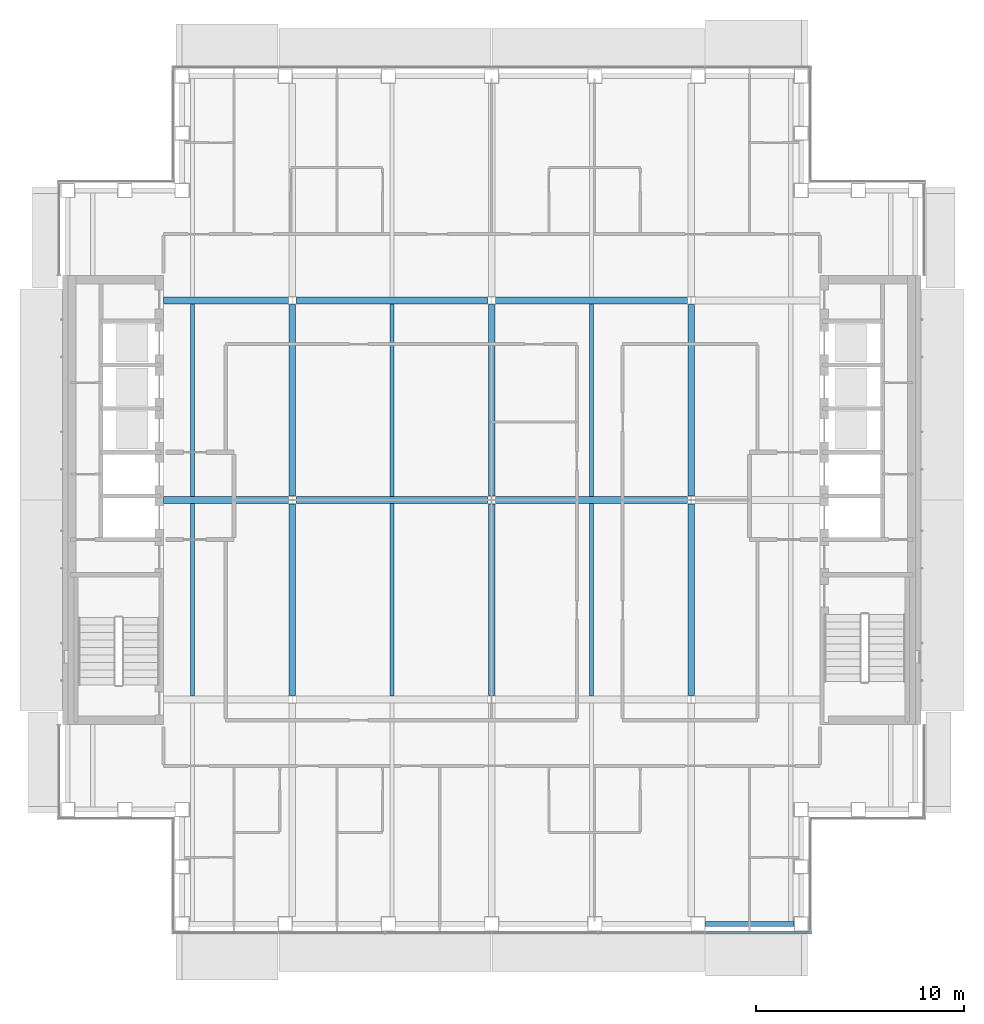
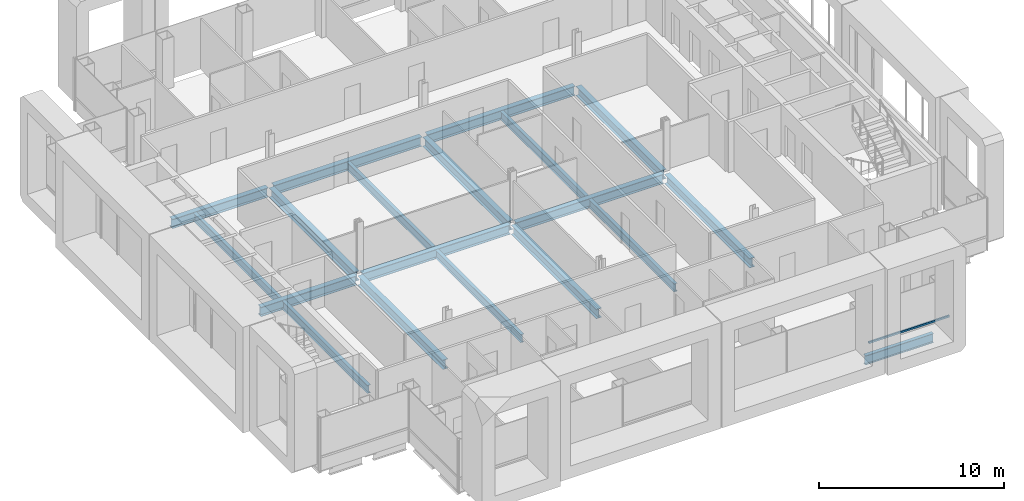
# One storey, part 4 of 19: 19 beams, 1 member, 1 element without a shape of its own.
"""IFC4 building model written with IfcOpenShell, lengths in metres."""

from ifc_helpers import new_model, si_unit, direction, frame, origin, origin_2d, place, context, subcontext, project, spatial, rectangle, i_section, extrude, material, material_profile, profile_set, type_object, element, aggregate, save


model = new_model("IFC4")

# Units and contexts
model_context = context("Model", 3, precision=1e-05, world=origin(), true_north=direction((0.0, 1.0)))
body_context = subcontext(model_context, "Body", "Model", "MODEL_VIEW")
ifc_project = project(units=[si_unit("LENGTHUNIT", "METRE"), si_unit("AREAUNIT", "SQUARE_METRE"), si_unit("VOLUMEUNIT", "CUBIC_METRE"), si_unit("PLANEANGLEUNIT", "RADIAN"), si_unit("MASSUNIT", "GRAM", prefix="KILO")], contexts=[model_context])

# Site, building, storey
site_placement = place(None, origin())
site = spatial("IfcSite", under=ifc_project, at=site_placement, CompositionType="ELEMENT")
building_placement = place(site_placement, origin())
building = spatial("IfcBuilding", under=site, at=building_placement, Name="Cobrizo Arcos Hotel Tower", CompositionType="ELEMENT")
storey_placement = place(building_placement, frame((0.0, 0.0, 198.0)))
storey = spatial("IfcBuildingStorey", under=building, at=storey_placement, Name="L51", CompositionType="ELEMENT", Elevation=198.0)

# Curtain wall, member
ifc_material_1 = material(Name="Aluminium 6063-T6 anodised bronze", Category="aluminium")
curtain_wall_type = type_object("IfcCurtainWallType", Name="CW-A guest facade", PredefinedType="NOTDEFINED", material=ifc_material_1)
curtain_wall_placement = place(storey_placement, origin())
curtain_wall = element("IfcCurtainWall", 1, at=curtain_wall_placement, inside=storey, type_object=curtain_wall_type, Name="CW-A L51 S face", PredefinedType="NOTDEFINED")
ifc_material_profile_1 = material_profile(ifc_material_1, rectangle(XDim=0.10009765625, YDim=0.1201171875, at=origin_2d()), Name="CW-A transom 120x100")
ifc_profile_set_1 = profile_set([ifc_material_profile_1], Name="Aluminium 6063-T6 anodised bronze")
member_type = type_object("IfcMemberType", Name="CW-A transom 120x100", PredefinedType="USERDEFINED", material=ifc_profile_set_1)
member_placement = place(storey_placement, frame((10.296630859375, -20.824951171875, 0.929931640625), z_axis=(1.0, 0.0, 0.0), x_axis=(0.0, 1.0, 0.0)))
member = element("IfcMember", 2, at=member_placement, type_object=member_type, Name="CW-A transom 1749", ObjectType="TRANSOM", PredefinedType="USERDEFINED", context=body_context, shape_type="SweptSolid", body=[
    extrude(rectangle(XDim=0.10009765625, YDim=0.1201171875, at=origin_2d()), origin(), (0.0, 0.0, 1.0), 5.04345703125),
])
aggregate(curtain_wall, [member])

# Beams
ifc_material_2 = material(Name="Steel ASTM A992 Grade 50", Category="steel")
ifc_material_profile_2 = material_profile(ifc_material_2, i_section(OverallWidth=0.209228515625, OverallDepth=0.533447265625, WebThickness=0.01025390625, FlangeThickness=0.015625, at=origin_2d()), Name="W21X62")
ifc_profile_set_2 = profile_set([ifc_material_profile_2], Name="Steel ASTM A992 Grade 50")
beam_type_1 = type_object("IfcBeamType", Name="W21X62 joist", PredefinedType="JOIST", material=ifc_profile_set_2)
for number, where, z_axis, x_axis, name in (
    (3, (-14.39990234375, -9.43603515625, -0.416748046875), (0.0, 1.0, 0.0), (-1.0, 0.0, 0.0), "Floor joist J1, L51, no. 004"),
    (4, (-14.39990234375, 0.163818359375, -0.416748046875), (0.0, 1.0, 0.0), (-1.0, 0.0, 0.0), "Floor joist J1, L51, no. 005"),
    (5, (-4.800048828125, -9.43603515625, -0.416748046875), (0.0, 1.0, 0.0), (-1.0, 0.0, 0.0), "Floor joist J1, L51, no. 008"),
    (6, (-4.800048828125, 0.163818359375, -0.416748046875), (0.0, 1.0, 0.0), (-1.0, 0.0, 0.0), "Floor joist J1, L51, no. 009"),
    (7, (4.800048828125, -9.43603515625, -0.416748046875), (0.0, 1.0, 0.0), (-1.0, 0.0, 0.0), "Floor joist J1, L51, no. 012"),
    (8, (4.800048828125, 0.163818359375, -0.416748046875), (0.0, 1.0, 0.0), (-1.0, 0.0, 0.0), "Floor joist J1, L51, no. 013"),
):
    element("IfcBeam", number, at=place(storey_placement, frame(where, z_axis=z_axis, x_axis=x_axis)), inside=storey, type_object=beam_type_1, Name=name, PredefinedType="JOIST", context=body_context, shape_type="SweptSolid", body=[
        extrude(i_section(OverallWidth=0.209228515625, OverallDepth=0.533447265625, WebThickness=0.01025390625, FlangeThickness=0.015625, at=origin_2d()), origin(), (0.0, 0.0, 1.0), 9.272216796875),
    ])
ifc_material_profile_3 = material_profile(ifc_material_2, i_section(OverallWidth=0.32763671875, OverallDepth=0.622314453125, WebThickness=0.015380859375, FlangeThickness=0.0244140625, at=origin_2d()), Name="W24X131")
ifc_profile_set_3 = profile_set([ifc_material_profile_3], Name="Steel ASTM A992 Grade 50")
beam_type_2 = type_object("IfcBeamType", Name="W24X131 girder", PredefinedType="BEAM", material=ifc_profile_set_3)
beam_1_placement = place(storey_placement, frame((-15.7900390625, 0.0, -0.461181640625), z_axis=(1.0, 0.0, 0.0), x_axis=(0.0, 1.0, 0.0)))
element("IfcBeam", 9, at=beam_1_placement, inside=storey, type_object=beam_type_2, Name="Floor girder G1, L51, no. 005", PredefinedType="BEAM", context=body_context, shape_type="SweptSolid", body=[
    extrude(i_section(OverallWidth=0.32763671875, OverallDepth=0.622314453125, WebThickness=0.015380859375, FlangeThickness=0.0244140625, at=origin_2d()), origin(), (0.0, 0.0, 1.0), 6.00341796875),
])
for number, where, z_axis, x_axis, name in (
    (10, (-9.413330078125, 0.0, -0.461181640625), (1.0, 0.0, 0.0), (0.0, 1.0, 0.0), "Floor girder G1, L51, no. 006"),
    (11, (0.186767578125, 0.0, -0.461181640625), (1.0, 0.0, 0.0), (0.0, 1.0, 0.0), "Floor girder G1, L51, no. 007"),
):
    element("IfcBeam", number, at=place(storey_placement, frame(where, z_axis=z_axis, x_axis=x_axis)), inside=storey, type_object=beam_type_2, Name=name, PredefinedType="BEAM", context=body_context, shape_type="SweptSolid", body=[
        extrude(i_section(OverallWidth=0.32763671875, OverallDepth=0.622314453125, WebThickness=0.015380859375, FlangeThickness=0.0244140625, at=origin_2d()), origin(), (0.0, 0.0, 1.0), 9.2265625),
    ])
beam_2_placement = place(storey_placement, frame((-15.7900390625, 9.60009765625, -0.461181640625), z_axis=(1.0, 0.0, 0.0), x_axis=(0.0, 1.0, 0.0)))
element("IfcBeam", 12, at=beam_2_placement, inside=storey, type_object=beam_type_2, Name="Floor girder G1, L51, no. 009", PredefinedType="BEAM", context=body_context, shape_type="SweptSolid", body=[
    extrude(i_section(OverallWidth=0.32763671875, OverallDepth=0.622314453125, WebThickness=0.015380859375, FlangeThickness=0.0244140625, at=origin_2d()), origin(), (0.0, 0.0, 1.0), 6.00341796875),
])
for number, where, z_axis, x_axis, name in (
    (13, (-9.413330078125, 9.60009765625, -0.461181640625), (1.0, 0.0, 0.0), (0.0, 1.0, 0.0), "Floor girder G1, L51, no. 010"),
    (14, (0.186767578125, 9.60009765625, -0.461181640625), (1.0, 0.0, 0.0), (0.0, 1.0, 0.0), "Floor girder G1, L51, no. 011"),
    (15, (-9.60009765625, -9.413330078125, -0.461181640625), (0.0, 1.0, 0.0), (-1.0, 0.0, 0.0), "Floor girder G1, L51, no. 014"),
    (16, (-9.60009765625, 0.186767578125, -0.461181640625), (0.0, 1.0, 0.0), (-1.0, 0.0, 0.0), "Floor girder G1, L51, no. 015"),
    (17, (0.0, -9.413330078125, -0.461181640625), (0.0, 1.0, 0.0), (-1.0, 0.0, 0.0), "Floor girder G1, L51, no. 018"),
    (18, (0.0, 0.186767578125, -0.461181640625), (0.0, 1.0, 0.0), (-1.0, 0.0, 0.0), "Floor girder G1, L51, no. 019"),
    (19, (9.60009765625, -9.413330078125, -0.461181640625), (0.0, 1.0, 0.0), (-1.0, 0.0, 0.0), "Floor girder G1, L51, no. 022"),
    (20, (9.60009765625, 0.186767578125, -0.461181640625), (0.0, 1.0, 0.0), (-1.0, 0.0, 0.0), "Floor girder G1, L51, no. 023"),
):
    element("IfcBeam", number, at=place(storey_placement, frame(where, z_axis=z_axis, x_axis=x_axis)), inside=storey, type_object=beam_type_2, Name=name, PredefinedType="BEAM", context=body_context, shape_type="SweptSolid", body=[
        extrude(i_section(OverallWidth=0.32763671875, OverallDepth=0.622314453125, WebThickness=0.015380859375, FlangeThickness=0.0244140625, at=origin_2d()), origin(), (0.0, 0.0, 1.0), 9.2265625),
    ])
ifc_material_profile_4 = material_profile(ifc_material_2, i_section(OverallWidth=0.228271484375, OverallDepth=0.607177734375, WebThickness=0.01123046875, FlangeThickness=0.017333984375, at=origin_2d()), Name="W24X76")
ifc_profile_set_4 = profile_set([ifc_material_profile_4], Name="Steel ASTM A992 Grade 50")
beam_type_3 = type_object("IfcBeamType", Name="W24X76 spandrel", PredefinedType="SPANDREL", material=ifc_profile_set_4)
beam_3_placement = place(storey_placement, frame((10.282958984375, -20.39990234375, -0.45361328125), z_axis=(1.0, 0.0, 0.0), x_axis=(0.0, 1.0, 0.0)))
element("IfcBeam", 21, at=beam_3_placement, inside=storey, type_object=beam_type_3, Name="Spandrel beam W24X76, L51, no. 006", PredefinedType="SPANDREL", context=body_context, shape_type="SweptSolid", body=[
    extrude(i_section(OverallWidth=0.228271484375, OverallDepth=0.607177734375, WebThickness=0.01123046875, FlangeThickness=0.017333984375, at=origin_2d()), origin(), (0.0, 0.0, 1.0), 4.26708984375),
])

save(model, "model.ifc")
